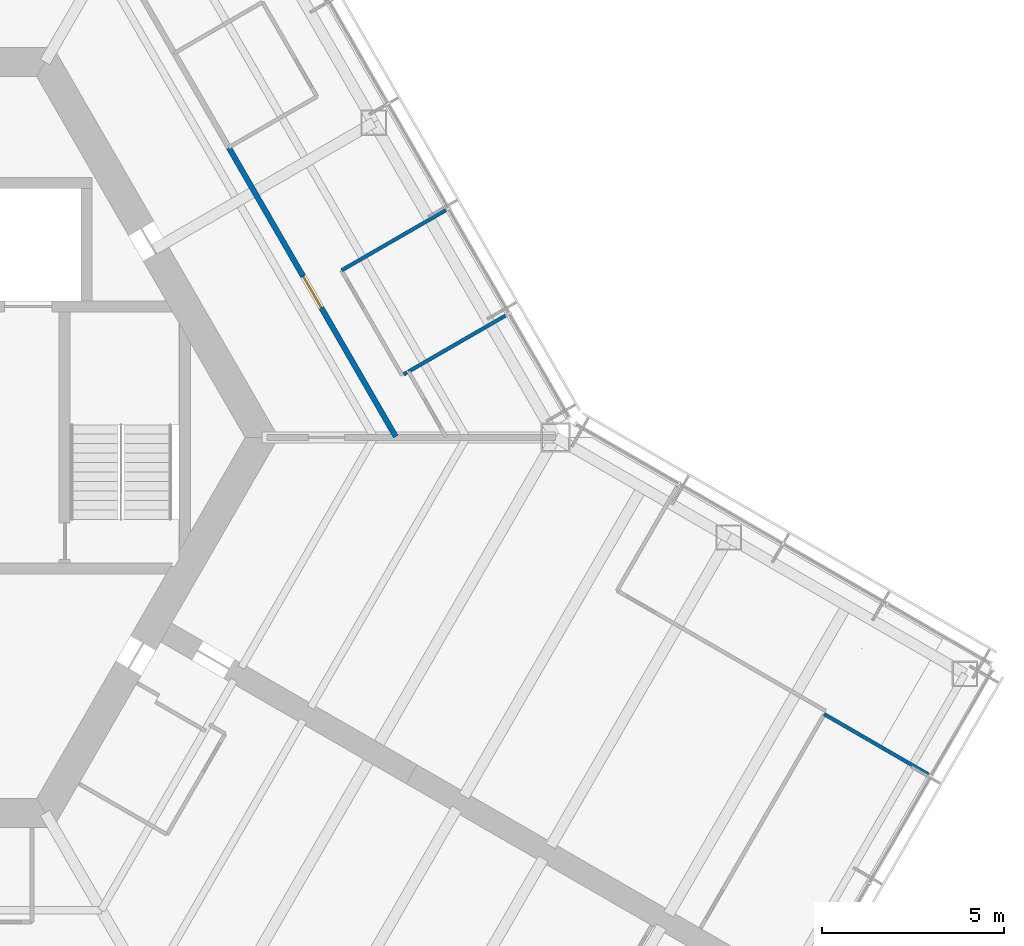
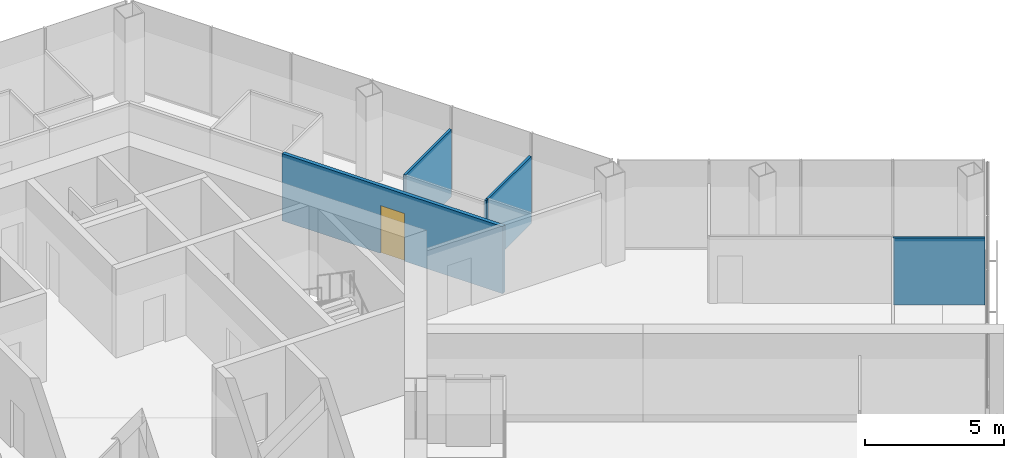
# One storey, part 13 of 17: 5 walls, 1 door, 1 opening.
"""IFC4 building model written with IfcOpenShell, lengths in metres."""

from ifc_helpers import new_model, si_unit, direction, frame, frame_2d, origin, place, context, subcontext, project, spatial, rectangle, extrude, material, layer, layer_set, type_object, element, fill, save


model = new_model("IFC4")

# Units and contexts
model_context = context("Model", 3, precision=1e-05, world=origin(), true_north=direction((0.0, 1.0)))
body_context = subcontext(model_context, "Body", "Model", "MODEL_VIEW")
ifc_project = project(units=[si_unit("LENGTHUNIT", "METRE"), si_unit("AREAUNIT", "SQUARE_METRE"), si_unit("VOLUMEUNIT", "CUBIC_METRE"), si_unit("PLANEANGLEUNIT", "RADIAN"), si_unit("MASSUNIT", "GRAM", prefix="KILO")], contexts=[model_context])

# Site, building, storey
site_placement = place(None, origin())
site = spatial("IfcSite", under=ifc_project, at=site_placement, CompositionType="ELEMENT")
building_placement = place(site_placement, origin())
building = spatial("IfcBuilding", under=site, at=building_placement, Name="Kasaneha Research Tower", CompositionType="ELEMENT")
storey_placement = place(building_placement, frame((0.0, 0.0, 228.39990234375)))
storey = spatial("IfcBuildingStorey", under=building, at=storey_placement, Name="L57", CompositionType="ELEMENT", Elevation=228.39990234375)

# Walls
ifc_material_1 = material(Name="Gypsum board on steel studs, one layer each side", Category="steel")
ifc_layer_1 = layer(ifc_material_1, 0.10009765625)
ifc_layer_set_1 = layer_set([ifc_layer_1], Name="Office partition 100")
wall_type_1 = type_object("IfcWallType", Name="Office partition 100", PredefinedType="PARTITIONING", material=ifc_layer_set_1)
wall_1_placement = place(storey_placement, frame((18.619873046875, 3.3505859375, 0.0), z_axis=(0.0, 0.0, 1.0), x_axis=(-0.866043267704, -0.499969057507, 0.0)))
element("IfcWall", 1, at=wall_1_placement, inside=storey, type_object=wall_type_1, Name="Office partition FAE13 L57", PredefinedType="PARTITIONING", context=body_context, shape_type="SweptSolid", body=[
    extrude(rectangle(XDim=3.085205078125, YDim=0.10009765625, at=frame_2d((1.54248046875, 0.0))), origin(), (0.0, 0.0, 1.0), 2.9501953125),
])
wall_2_placement = place(storey_placement, frame((14.11376953125, 4.59521484375, 0.0), z_axis=(0.0, 0.0, 1.0), x_axis=(0.866033287653, 0.49998634449, 0.0)))
element("IfcWall", 2, at=wall_2_placement, inside=storey, type_object=wall_type_1, Name="Office partition FAE14 L57", PredefinedType="PARTITIONING", context=body_context, shape_type="SweptSolid", body=[
    extrude(rectangle(XDim=3.31005859375, YDim=0.10009765625, at=frame_2d((1.655029296875, 0.0))), origin(), (0.0, 0.0, 1.0), 2.9501953125),
])
wall_3_placement = place(storey_placement, frame((30.250244140625, -9.26611328125, 0.0), z_axis=(0.0, 0.0, 1.0), x_axis=(-0.865342122637, 0.501181614577, 0.0)))
element("IfcWall", 3, at=wall_3_placement, inside=storey, type_object=wall_type_1, Name="Office partition FCE01 L57", PredefinedType="PARTITIONING", context=body_context, shape_type="SweptSolid", body=[
    extrude(rectangle(XDim=3.310546875, YDim=0.10009765625, at=frame_2d((1.6552734375, 0.0))), origin(), (0.0, 0.0, 1.0), 2.9501953125),
])
wall_4_placement = place(storey_placement, frame((15.82275390625, 1.7353515625, 0.0), z_axis=(0.0, 0.0, 1.0), x_axis=(0.867234405398, 0.497900076415, 0.0)))
element("IfcWall", 4, at=wall_4_placement, inside=storey, type_object=wall_type_1, Name="Office partition closer PT5 L57", PredefinedType="PARTITIONING", context=body_context, shape_type="SweptSolid", body=[
    extrude(rectangle(XDim=0.1044921875, YDim=0.10009765625, at=frame_2d((0.05224609375, 0.0))), origin(), (0.0, 0.0, 1.0), 2.9501953125),
])

# Wall, opening, door
ifc_material_2 = material(Name="Gypsum board on steel studs, two layers each side", Category="steel")
ifc_layer_2 = layer(ifc_material_2, 0.14990234375)
ifc_layer_set_2 = layer_set([ifc_layer_2], Name="Suite partition 150")
wall_type_2 = type_object("IfcWallType", Name="Suite partition 150", PredefinedType="PARTITIONING", material=ifc_layer_set_2)
wall_5_placement = place(storey_placement, frame((11.0107421875, 7.978759765625, 0.0), z_axis=(0.0, 0.0, 1.0), x_axis=(0.49999917462, -0.866025880317, 0.0)))
wall_5 = element("IfcWall", 5, at=wall_5_placement, inside=storey, type_object=wall_type_2, Name="Suite partition FAE05 L57", PredefinedType="PARTITIONING", context=body_context, shape_type="SweptSolid", body=[
    extrude(rectangle(XDim=9.18994140625, YDim=0.14990234375, at=frame_2d((4.594970703125, 0.0))), origin(), (0.0, 0.0, 1.0), 2.9501953125),
])
opening_placement = place(wall_5_placement, frame((4.094970703125, 0.0, 0.0)))
opening = element("IfcOpeningElement", 6, at=opening_placement, cuts=wall_5, Name="Opening L57-D27", PredefinedType="OPENING", context=body_context, shape_type="SweptSolid", body=[
    extrude(rectangle(XDim=1.0, YDim=2.10009765625, at=frame_2d((0.5, 1.050048828125))), frame((0.0, 0.0849609375, 0.0), z_axis=(0.0, -1.0, 0.0), x_axis=(1.0, 0.0, 0.0)), (0.0, 0.0, 1.0), 0.169921875),
])
ifc_material_3 = material(Name="Steel", Category="steel")
door_type = type_object("IfcDoorType", Name="Suite entrance door FD60 1000x2100", OperationType="NOTDEFINED", PredefinedType="DOOR", material=ifc_material_3)
door_placement = place(opening_placement, origin())
door = element("IfcDoor", 7, at=door_placement, inside=storey, type_object=door_type, Name="Suite entrance door L57-D27", OperationType="SINGLE_SWING_LEFT", OverallHeight=2.10009765625, OverallWidth=1.0, PredefinedType="DOOR", context=body_context, shape_type="SweptSolid", body=[
    extrude(rectangle(XDim=1.0, YDim=2.10009765625, at=frame_2d((0.5, 1.050048828125))), frame((0.0, 0.02490234375, 0.0), z_axis=(0.0, -1.0, 0.0), x_axis=(1.0, 0.0, 0.0)), (0.0, 0.0, 1.0), 0.050048828125),
])
fill(opening, door)

save(model, "model.ifc")
